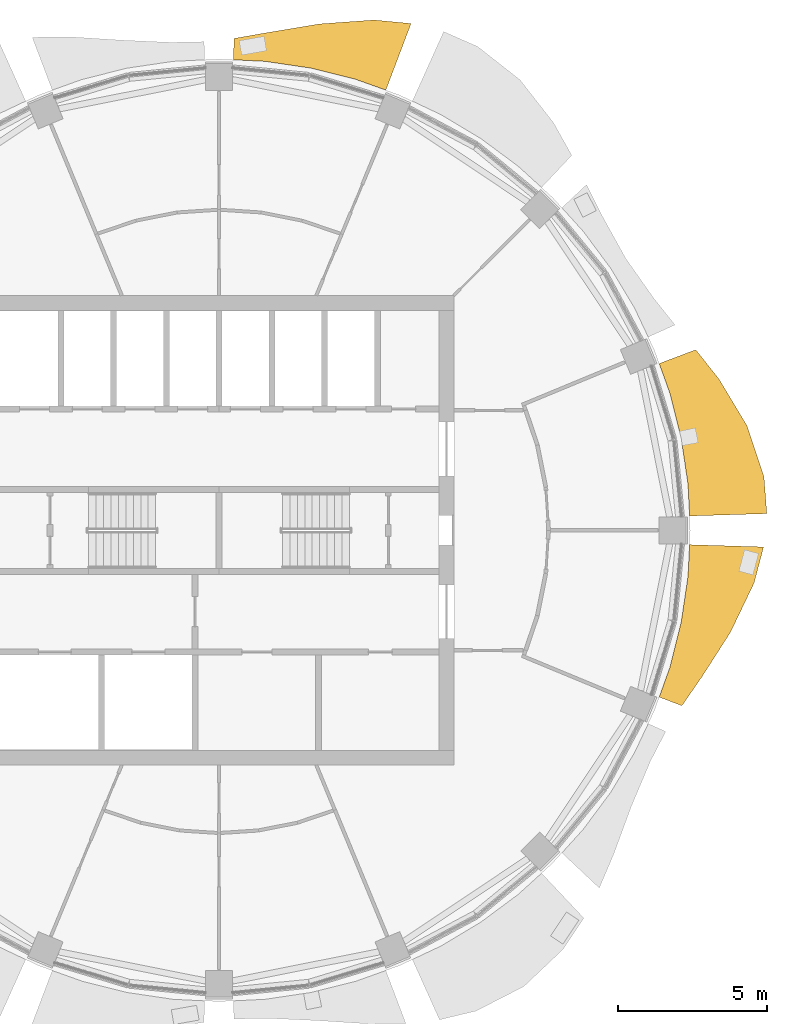
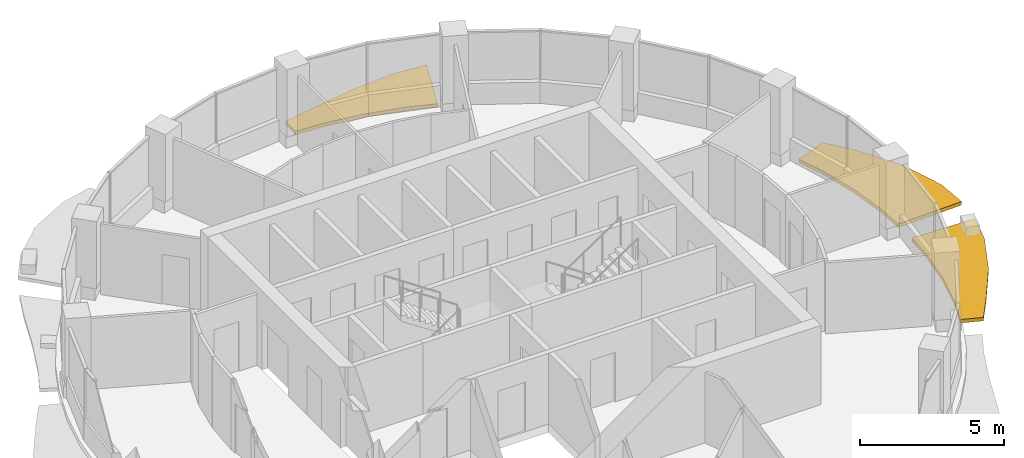
# One storey, part 13 of 14: 3 shading devices.
"""IFC4 building model written with IfcOpenShell, lengths in metres."""

import ifcopenshell
import ifcopenshell.guid

model = None  # the IFC model being written
_history = None  # IfcOwnerHistory: only IFC2X3 demands one
_inside = {}  # id of a spatial element -> (the spatial element, [elements in it])
_under = {}  # id of a project, library or spatial element -> (it, [spatial elements below it])
_declared = {}  # id of a project -> (the project, [libraries it declares])
_typed = {}  # id of a type object -> (the type object, [elements of that type])
_made_of = {}  # id of a material, layer set ... -> (it, [elements and type objects made of it])


def new_model(schema):
    """Start an empty IFC model of exactly this schema.

    Asked for "IFC4X3", IfcOpenShell would pick the latest addendum, in which some entities
    have other attributes; the version numbers below select the first issue.
    IFC2X3 requires an IfcOwnerHistory on every rooted entity: one is made here for all.
    """
    global model, _history
    if schema == "IFC4X3":
        model = ifcopenshell.file(schema_version=(4, 3, 0, 0))
    else:
        model = ifcopenshell.file(schema=schema)
    _inside.clear()
    _under.clear()
    _declared.clear()
    _typed.clear()
    _made_of.clear()
    _history = None
    if model.schema == "IFC2X3":
        org = make("IfcOrganization", Name="unknown")
        user = make(
            "IfcPersonAndOrganization",
            ThePerson=make("IfcPerson", FamilyName="unknown"),
            TheOrganization=org,
        )
        app = make(
            "IfcApplication",
            ApplicationDeveloper=org,
            Version="unknown",
            ApplicationFullName="unknown",
            ApplicationIdentifier="unknown",
        )
        _history = make(
            "IfcOwnerHistory",
            OwningUser=user,
            OwningApplication=app,
            ChangeAction="ADDED",
            CreationDate=0,
        )
    return model


def make(cls, **values):
    """One entity of the class cls with the attributes given. An attribute that is None is left unset."""
    return model.create_entity(
        cls, **{name: value for name, value in values.items() if value is not None}
    )


def rooted(cls, **values):
    """An entity with a GlobalId (a new one), such as an element, a storey or a relation."""
    return make(cls, GlobalId=ifcopenshell.guid.new(), OwnerHistory=_history, **values)


def si_unit(unit_type, name, prefix=None):
    """IfcSIUnit, for example si_unit("LENGTHUNIT", "METRE", prefix="MILLI")."""
    return make("IfcSIUnit", UnitType=unit_type, Prefix=prefix, Name=name)


def assignment(units):
    """IfcUnitAssignment: the units of a project."""
    return None if units is None else make("IfcUnitAssignment", Units=units)


def point(xyz):
    """IfcCartesianPoint."""
    return None if xyz is None else make("IfcCartesianPoint", Coordinates=xyz)


def direction(xyz):
    """IfcDirection."""
    return None if xyz is None else make("IfcDirection", DirectionRatios=xyz)


def frame(location, z_axis=None, x_axis=None):
    """IfcAxis2Placement3D, a coordinate frame: its origin and axes. An axis left out is left unset."""
    return make(
        "IfcAxis2Placement3D",
        Location=point(location),
        Axis=direction(z_axis),
        RefDirection=direction(x_axis),
    )


def origin():
    """The frame at (0, 0, 0) with its axes left unset."""
    return frame((0.0, 0.0, 0.0))


def place(relative_to, where):
    """IfcLocalPlacement: puts the frame where relative to a parent placement (None: the world)."""
    return make(
        "IfcLocalPlacement", PlacementRelTo=relative_to, RelativePlacement=where
    )


def context(
    kind, dimensions, precision=None, world=None, true_north=None, identifier=None
):
    """IfcGeometricRepresentationContext, for example the 3D "Model" context."""
    return make(
        "IfcGeometricRepresentationContext",
        ContextIdentifier=identifier,
        ContextType=kind,
        CoordinateSpaceDimension=dimensions,
        Precision=precision,
        WorldCoordinateSystem=world,
        TrueNorth=true_north,
    )


def subcontext(parent, identifier, kind, view, scale=None):
    """IfcGeometricRepresentationSubContext, for example "Body" below "Model"."""
    return make(
        "IfcGeometricRepresentationSubContext",
        ContextIdentifier=identifier,
        ContextType=kind,
        ParentContext=parent,
        TargetScale=scale,
        TargetView=view,
    )


def project(units=None, contexts=None):
    """IfcProject with its units and contexts."""
    return rooted(
        "IfcProject",
        Name="project",
        RepresentationContexts=contexts,
        UnitsInContext=assignment(units),
    )


def spatial(cls, under=None, at=None, **own):
    """A site, building, storey or space (cls), placed at a placement, below another one or the project."""
    s = rooted(cls, ObjectPlacement=at, **own)
    if under is not None:
        _under.setdefault(under.id(), (under, []))[1].append(s)
    return s


def polyline(points):
    """IfcPolyline through the points."""
    return make("IfcPolyline", Points=[point(p) for p in points])


def outline(outer, holes=None, kind="AREA"):
    """IfcArbitraryClosedProfileDef: a profile drawn as a closed curve; with holes, ...WithVoids."""
    if holes is None:
        return make("IfcArbitraryClosedProfileDef", ProfileType=kind, OuterCurve=outer)
    return make(
        "IfcArbitraryProfileDefWithVoids",
        ProfileType=kind,
        OuterCurve=outer,
        InnerCurves=holes,
    )


def extrude(swept, where, along, depth):
    """IfcExtrudedAreaSolid: the profile swept, set in the frame where, extruded along a direction by depth."""
    return make(
        "IfcExtrudedAreaSolid",
        SweptArea=swept,
        Position=where,
        ExtrudedDirection=direction(along),
        Depth=depth,
    )


def shape(context_of_items, identifier, shape_type, items):
    """IfcShapeRepresentation: the items that make up one representation, for example the "Body"."""
    return make(
        "IfcShapeRepresentation",
        ContextOfItems=context_of_items,
        RepresentationIdentifier=identifier,
        RepresentationType=shape_type,
        Items=items,
    )


def material(Name=None, Category=None):
    """IfcMaterial."""
    return make("IfcMaterial", Name=Name, Category=Category)


def made_of(thing, what):
    """Note that an element or type object is made of a material, layer set ...; save() writes the relation."""
    if what is not None:
        _made_of.setdefault(what.id(), (what, []))[1].append(thing)
    return thing


def type_object(cls, material=None, **own):
    """A type object (cls), such as IfcWallType, which elements share."""
    return made_of(rooted(cls, **own), material)


def element(
    cls,
    number,
    at=None,
    inside=None,
    cuts=None,
    type_object=None,
    material=None,
    context=None,
    identifier="Body",
    shape_type=None,
    held_by="IfcProductDefinitionShape",
    body=None,
    shapes=None,
    **own,
):
    """One element of the class cls, such as IfcWall. Its Tag is "e" and its number.

    at: its placement. inside: the storey or other place that contains it. cuts: it is an
    opening in that element (IfcRelVoidsElement). A single representation is given by context,
    identifier, shape_type and body (its items); several are given by shapes. held_by: the class
    of the entity that holds the representations. save() writes the other relations.
    """
    e = rooted(cls, Tag="e%d" % number, ObjectPlacement=at, **own)
    if body is not None:
        shapes = [shape(context, identifier, shape_type, body)]
    if shapes is not None:
        e.Representation = make(held_by, Representations=shapes)
    if inside is not None:
        _inside.setdefault(inside.id(), (inside, []))[1].append(e)
    if cuts is not None:
        rooted(
            "IfcRelVoidsElement", RelatingBuildingElement=cuts, RelatedOpeningElement=e
        )
    if type_object is not None:
        _typed.setdefault(type_object.id(), (type_object, []))[1].append(e)
    return made_of(e, material)


def aggregate(whole, parts):
    """IfcRelAggregates: a whole, such as a stair, and the parts it consists of."""
    return rooted("IfcRelAggregates", RelatingObject=whole, RelatedObjects=parts)


def save(model, path):
    """Write the relations noted so far, then the file.

    IfcRelAggregates (storeys below a building ...), IfcRelContainedInSpatialStructure (elements
    in a storey), IfcRelDefinesByType, IfcRelAssociatesMaterial and IfcRelDeclares: one each for
    every whole, place, type object, material and project.
    """
    for whole, parts in _under.values():
        aggregate(whole, parts)
    for where, things in _inside.values():
        rooted(
            "IfcRelContainedInSpatialStructure",
            RelatedElements=things,
            RelatingStructure=where,
        )
    for kind, things in _typed.values():
        rooted("IfcRelDefinesByType", RelatedObjects=things, RelatingType=kind)
    for what, things in _made_of.values():
        rooted("IfcRelAssociatesMaterial", RelatedObjects=things, RelatingMaterial=what)
    for by, libraries in _declared.values():
        rooted("IfcRelDeclares", RelatingContext=by, RelatedDefinitions=libraries)
    model.write(path)


model = new_model("IFC4")

# Units and contexts
model_context = context("Model", 3, precision=1e-05, world=origin(), true_north=direction((0.0, 1.0)))
body_context = subcontext(model_context, "Body", "Model", "MODEL_VIEW")
ifc_project = project(units=[si_unit("LENGTHUNIT", "METRE"), si_unit("AREAUNIT", "SQUARE_METRE"), si_unit("VOLUMEUNIT", "CUBIC_METRE"), si_unit("PLANEANGLEUNIT", "RADIAN"), si_unit("MASSUNIT", "GRAM", prefix="KILO")], contexts=[model_context])

# Site, building, storey
site_placement = place(None, origin())
site = spatial("IfcSite", under=ifc_project, at=site_placement, CompositionType="ELEMENT")
building_placement = place(site_placement, origin())
building = spatial("IfcBuilding", under=site, at=building_placement, Name="Polderwave Tower", CompositionType="ELEMENT")
storey_placement = place(building_placement, frame((0.0, 0.0, 217.800048828125)))
storey = spatial("IfcBuildingStorey", under=building, at=storey_placement, Name="L59", CompositionType="ELEMENT", Elevation=217.800048828125)

# Shading devices
ifc_material = material(Name="Terracotta", Category="masonry")
shading_device_type = type_object("IfcShadingDeviceType", Name="Terracotta sunshade band", PredefinedType="USERDEFINED", material=ifc_material)
shading_device_1_placement = place(storey_placement, frame((0.0, 0.0, -0.35009765625)))
element("IfcShadingDevice", 1, at=shading_device_1_placement, inside=storey, type_object=shading_device_type, Name="Sunshade band L59 1", ObjectType="SUNSHADE", PredefinedType="USERDEFINED", context=body_context, shape_type="SweptSolid", body=[
    extrude(outline(polyline([(15.7763671875, 0.481201171875), (15.723876953125, 1.548583984375), (15.496337890625, 3.08251953125), (15.11962890625, 4.58642578125), (14.759521484375, 5.5927734375), (15.98193359375, 6.055908203125), (16.754638671875, 5.08251953125), (17.69580078125, 3.52001953125), (18.271484375, 1.799560546875), (18.36767578125, 0.560302734375), (15.7763671875, 0.481201171875)])), origin(), (0.0, 0.0, 1.0), 0.150146484375),
])
shading_device_2_placement = place(storey_placement, frame((0.0, 0.0, -0.35009765625)))
element("IfcShadingDevice", 2, at=shading_device_2_placement, inside=storey, type_object=shading_device_type, Name="Sunshade band L59 4", ObjectType="SUNSHADE", PredefinedType="USERDEFINED", context=body_context, shape_type="SweptSolid", body=[
    extrude(outline(polyline([(5.5927734375, 14.759521484375), (4.58642578125, 15.11962890625), (3.08251953125, 15.496337890625), (1.548583984375, 15.723876953125), (0.481201171875, 15.7763671875), (0.503173828125, 16.492919921875), (1.64404296875, 16.693115234375), (3.37744140625, 16.97998046875), (5.1904296875, 17.11083984375), (6.438720703125, 16.99267578125), (5.5927734375, 14.759521484375)])), origin(), (0.0, 0.0, 1.0), 0.150146484375),
])
shading_device_3_placement = place(storey_placement, frame((0.0, 0.0, -0.35009765625)))
element("IfcShadingDevice", 3, at=shading_device_3_placement, inside=storey, type_object=shading_device_type, Name="Sunshade band L59 16", ObjectType="SUNSHADE", PredefinedType="USERDEFINED", context=body_context, shape_type="SweptSolid", body=[
    extrude(outline(polyline([(14.759521484375, -5.5927734375), (15.11962890625, -4.58642578125), (15.496337890625, -3.08251953125), (15.723876953125, -1.548583984375), (15.7763671875, -0.481201171875), (18.25830078125, -0.556884765625), (17.939208984375, -1.766845703125), (17.1513671875, -3.41162109375), (16.190673828125, -4.911376953125), (15.51904296875, -5.88037109375), (14.759521484375, -5.5927734375)])), origin(), (0.0, 0.0, 1.0), 0.150146484375),
])

save(model, "model.ifc")
